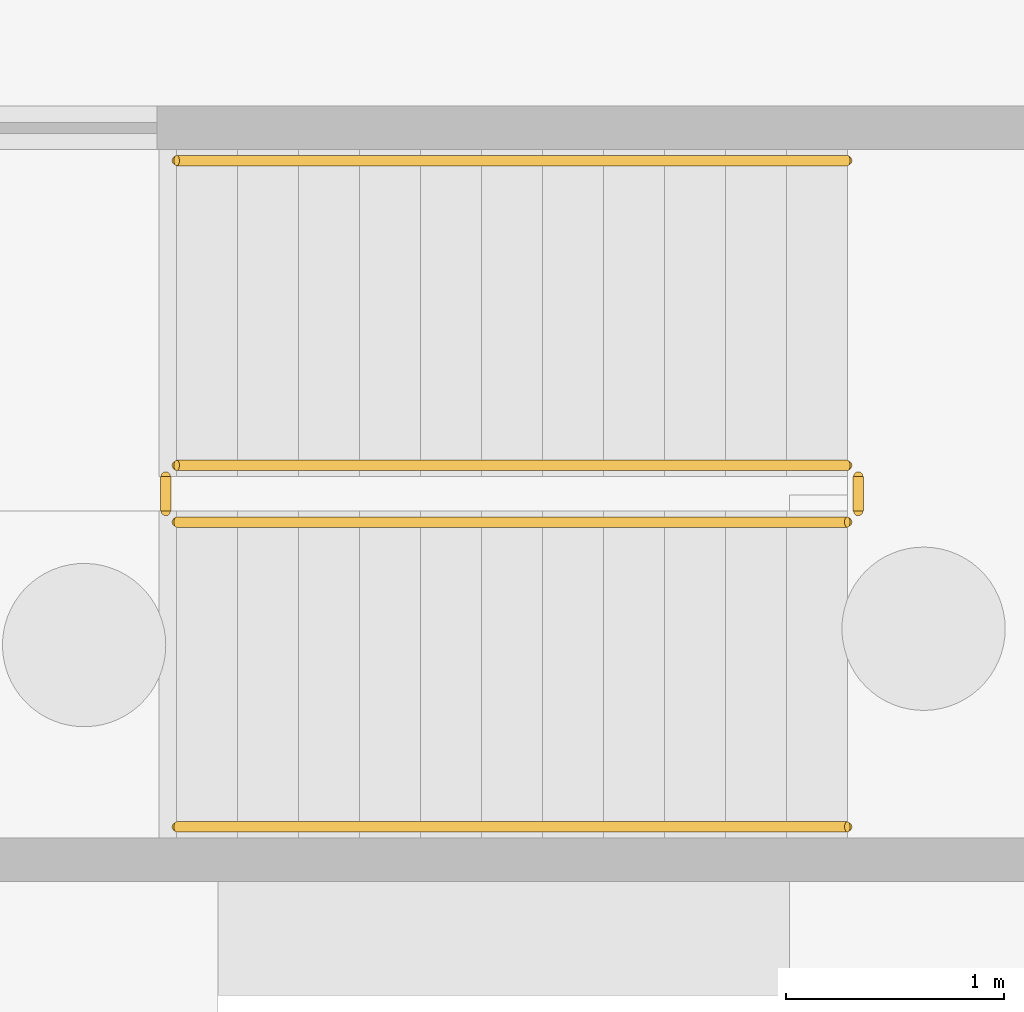
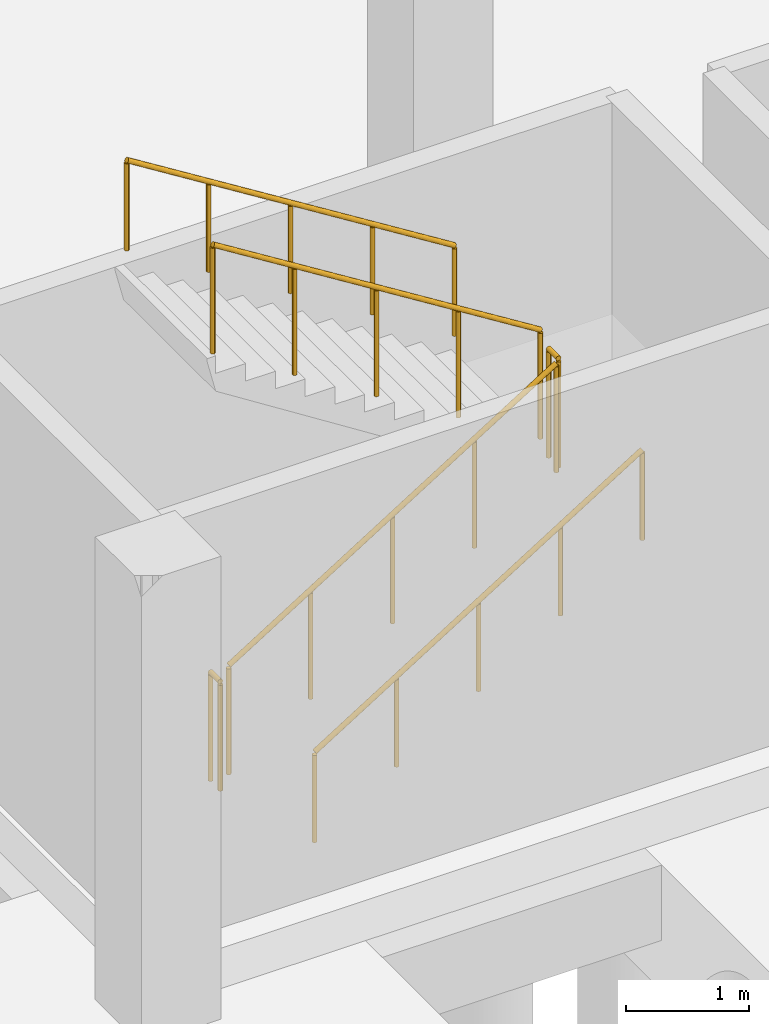
# One storey, part 22 of 27: 6 railings.
"""IFC4 building model written with IfcOpenShell, lengths in metres."""

from ifc_helpers import new_model, si_unit, direction, frame, origin, origin_2d, place, context, subcontext, project, spatial, circle, extrude, material, type_object, element, save


model = new_model("IFC4")

# Units and contexts
model_context = context("Model", 3, precision=1e-05, world=origin(), true_north=direction((0.0, 1.0)))
body_context = subcontext(model_context, "Body", "Model", "MODEL_VIEW")
ifc_project = project(units=[si_unit("LENGTHUNIT", "METRE"), si_unit("AREAUNIT", "SQUARE_METRE"), si_unit("VOLUMEUNIT", "CUBIC_METRE"), si_unit("PLANEANGLEUNIT", "RADIAN"), si_unit("MASSUNIT", "GRAM", prefix="KILO")], contexts=[model_context])

# Site, building, storey
site_placement = place(None, origin())
site = spatial("IfcSite", under=ifc_project, at=site_placement, CompositionType="ELEMENT")
building_placement = place(site_placement, origin())
building = spatial("IfcBuilding", under=site, at=building_placement, Name="Ciguamira Faculty of Natural Sciences", CompositionType="ELEMENT")
storey_placement = place(building_placement, frame((0.0, 0.0, -4.199951171875)))
storey = spatial("IfcBuildingStorey", under=building, at=storey_placement, Name="B1", CompositionType="ELEMENT", Elevation=-4.199951171875)

# Railings
ifc_material_1 = material(Name="Stainless steel balustrade", Category="steel")
railing_type_1 = type_object("IfcRailingType", Name="Guardrail_GR01", PredefinedType="GUARDRAIL", material=ifc_material_1)
railing_1_placement = place(storey_placement, frame((59.06005859375, 11.89990234375, 0.175048828125)))
element("IfcRailing", 1, at=railing_1_placement, inside=storey, type_object=railing_type_1, Name="B1 ST-A1 stair guard 1", PredefinedType="GUARDRAIL", context=body_context, shape_type="SweptSolid", body=[
    extrude(circle(Radius=0.02392578125, at=origin_2d()), frame((0.0, 0.0, 1.076171875), z_axis=(0.848009633417, 0.0, 0.529980812513), x_axis=(0.0, 1.0, 0.0)), (0.0, 0.0, 1.0), 3.6318359375),
    extrude(circle(Radius=0.02099609375, at=origin_2d()), origin(), (0.0, 0.0, 1.0), 1.052001953125),
    extrude(circle(Radius=0.02099609375, at=origin_2d()), frame((0.77001953125, 0.0, 0.481201171875)), (0.0, 0.0, 1.0), 1.052001953125),
    extrude(circle(Radius=0.02099609375, at=origin_2d()), frame((1.5400390625, 0.0, 0.96240234375)), (0.0, 0.0, 1.0), 1.052001953125),
    extrude(circle(Radius=0.02099609375, at=origin_2d()), frame((2.309814453125, 0.0, 1.443603515625)), (0.0, 0.0, 1.0), 1.052001953125),
    extrude(circle(Radius=0.02099609375, at=origin_2d()), frame((3.079833984375, 0.0, 1.9248046875)), (0.0, 0.0, 1.0), 1.052001953125),
])
railing_2_placement = place(storey_placement, frame((62.18994140625, 11.949951171875, 2.099853515625)))
element("IfcRailing", 2, at=railing_2_placement, inside=storey, type_object=railing_type_1, Name="B1 ST-A1 stair guard 2", PredefinedType="GUARDRAIL", context=body_context, shape_type="SweptSolid", body=[
    extrude(circle(Radius=0.02392578125, at=origin_2d()), frame((0.0, 0.0, 1.076171875), z_axis=(0.0, 1.0, 0.0), x_axis=(-1.0, 0.0, 0.0)), (0.0, 0.0, 1.0), 0.16015625),
    extrude(circle(Radius=0.02099609375, at=origin_2d()), origin(), (0.0, 0.0, 1.0), 1.052001953125),
    extrude(circle(Radius=0.02099609375, at=origin_2d()), frame((0.0, 0.16015625, 0.0)), (0.0, 0.0, 1.0), 1.052001953125),
])
railing_3_placement = place(storey_placement, frame((62.139892578125, 12.159912109375, 2.27490234375)))
element("IfcRailing", 3, at=railing_3_placement, inside=storey, type_object=railing_type_1, Name="B1 ST-A1 stair guard 3", PredefinedType="GUARDRAIL", context=body_context, shape_type="SweptSolid", body=[
    extrude(circle(Radius=0.02392578125, at=origin_2d()), frame((0.0, 0.0, 1.076171875), z_axis=(-0.847979421464, 0.0, 0.530029150871), x_axis=(0.0, -1.0, 0.0)), (0.0, 0.0, 1.0), 3.632080078125),
    extrude(circle(Radius=0.02099609375, at=origin_2d()), origin(), (0.0, 0.0, 1.0), 1.052001953125),
    extrude(circle(Radius=0.02099609375, at=origin_2d()), frame((-0.77001953125, 0.0, 0.481201171875)), (0.0, 0.0, 1.0), 1.052001953125),
    extrude(circle(Radius=0.02099609375, at=origin_2d()), frame((-1.5400390625, 0.0, 0.96240234375)), (0.0, 0.0, 1.0), 1.052001953125),
    extrude(circle(Radius=0.02099609375, at=origin_2d()), frame((-2.309814453125, 0.0, 1.44384765625)), (0.0, 0.0, 1.0), 1.052001953125),
    extrude(circle(Radius=0.02099609375, at=origin_2d()), frame((-3.079833984375, 0.0, 1.925048828125)), (0.0, 0.0, 1.0), 1.052001953125),
])
railing_4_placement = place(storey_placement, frame((59.010009765625, 11.949951171875, 0.0)))
element("IfcRailing", 4, at=railing_4_placement, inside=storey, type_object=railing_type_1, Name="B1 ST-A1 stair guard 4", PredefinedType="GUARDRAIL", context=body_context, shape_type="SweptSolid", body=[
    extrude(circle(Radius=0.02392578125, at=origin_2d()), frame((0.0, 0.0, 1.076171875), z_axis=(0.0, 1.0, 0.0), x_axis=(-1.0, 0.0, 0.0)), (0.0, 0.0, 1.0), 0.16015625),
    extrude(circle(Radius=0.02099609375, at=origin_2d()), origin(), (0.0, 0.0, 1.0), 1.052001953125),
    extrude(circle(Radius=0.02099609375, at=origin_2d()), frame((0.0, 0.16015625, 0.0)), (0.0, 0.0, 1.0), 1.052001953125),
])
ifc_material_2 = material(Name="Stainless steel handrail", Category="steel")
railing_type_2 = type_object("IfcRailingType", Name="Handrail_HR01", PredefinedType="HANDRAIL", material=ifc_material_2)
railing_5_placement = place(storey_placement, frame((59.06005859375, 10.5, 0.349853515625)))
element("IfcRailing", 5, at=railing_5_placement, inside=storey, type_object=railing_type_2, Name="B1 ST-A1 stair handrail 1", PredefinedType="HANDRAIL", context=body_context, shape_type="SweptSolid", body=[
    extrude(circle(Radius=0.02392578125, at=origin_2d()), frame((0.0, 0.0, 0.89111328125), z_axis=(0.847979421464, 0.0, 0.530029150871), x_axis=(0.0, 1.0, 0.0)), (0.0, 0.0, 1.0), 3.632080078125),
    extrude(circle(Radius=0.02099609375, at=origin_2d()), origin(), (0.0, 0.0, 1.0), 0.866943359375),
    extrude(circle(Radius=0.02099609375, at=origin_2d()), frame((0.77001953125, 0.0, 0.481201171875)), (0.0, 0.0, 1.0), 0.866943359375),
    extrude(circle(Radius=0.02099609375, at=origin_2d()), frame((1.5400390625, 0.0, 0.96240234375)), (0.0, 0.0, 1.0), 0.866943359375),
    extrude(circle(Radius=0.02099609375, at=origin_2d()), frame((2.309814453125, 0.0, 1.44384765625)), (0.0, 0.0, 1.0), 0.866943359375),
    extrude(circle(Radius=0.02099609375, at=origin_2d()), frame((3.079833984375, 0.0, 1.925048828125)), (0.0, 0.0, 1.0), 0.866943359375),
])
railing_6_placement = place(storey_placement, frame((62.139892578125, 13.56005859375, 2.449951171875)))
element("IfcRailing", 6, at=railing_6_placement, inside=storey, type_object=railing_type_2, Name="B1 ST-A1 stair handrail 2", PredefinedType="HANDRAIL", context=body_context, shape_type="SweptSolid", body=[
    extrude(circle(Radius=0.02392578125, at=origin_2d()), frame((0.0, 0.0, 0.89111328125), z_axis=(-0.847979421464, 0.0, 0.530029150871), x_axis=(0.0, -1.0, 0.0)), (0.0, 0.0, 1.0), 3.632080078125),
    extrude(circle(Radius=0.02099609375, at=origin_2d()), origin(), (0.0, 0.0, 1.0), 0.866943359375),
    extrude(circle(Radius=0.02099609375, at=origin_2d()), frame((-0.77001953125, 0.0, 0.481201171875)), (0.0, 0.0, 1.0), 0.866943359375),
    extrude(circle(Radius=0.02099609375, at=origin_2d()), frame((-1.5400390625, 0.0, 0.96240234375)), (0.0, 0.0, 1.0), 0.866943359375),
    extrude(circle(Radius=0.02099609375, at=origin_2d()), frame((-2.309814453125, 0.0, 1.44384765625)), (0.0, 0.0, 1.0), 0.866943359375),
    extrude(circle(Radius=0.02099609375, at=origin_2d()), frame((-3.079833984375, 0.0, 1.925048828125)), (0.0, 0.0, 1.0), 0.866943359375),
])

save(model, "model.ifc")
